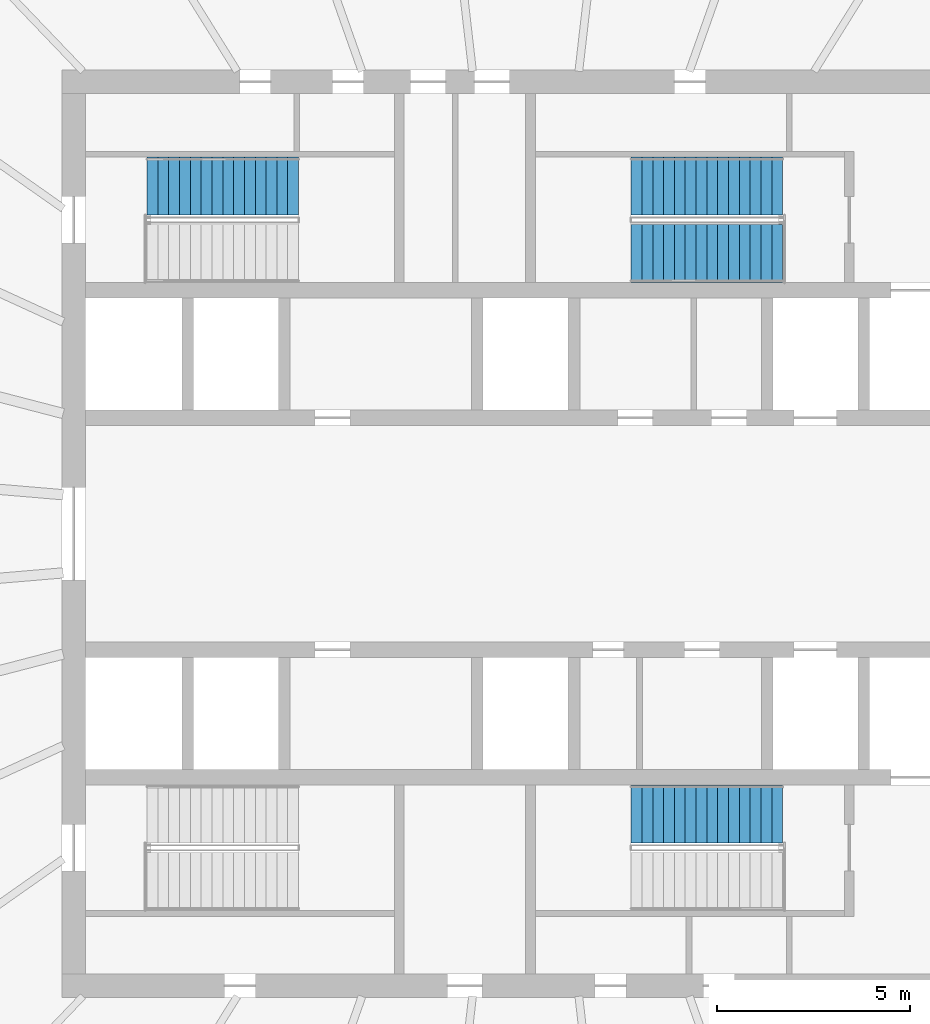
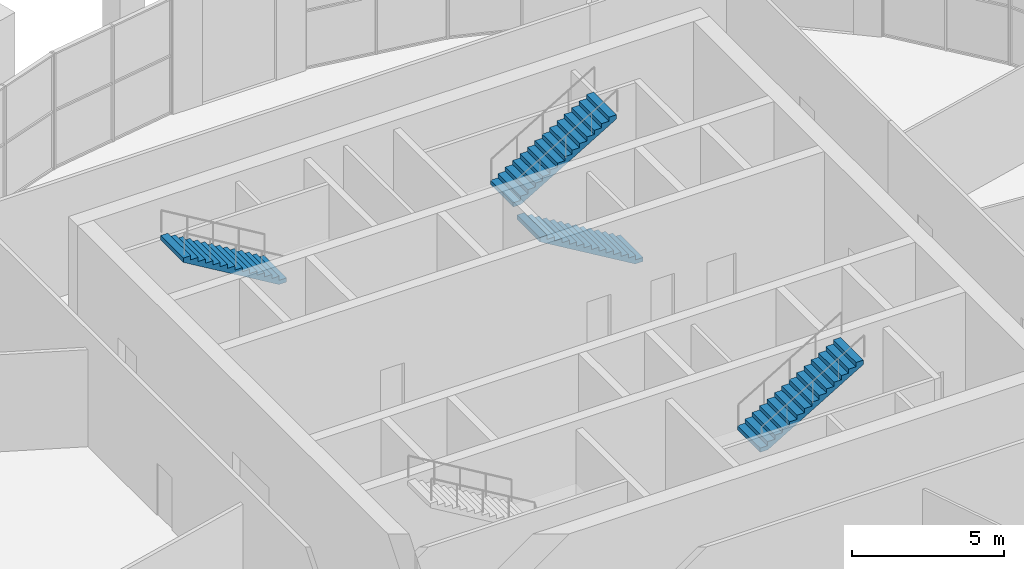
# One storey, part 13 of 15: 4 stair flights, 3 elements without a shape of their own.
"""IFC4 building model written with IfcOpenShell, lengths in metres."""

from ifc_helpers import new_model, si_unit, direction, frame, origin, place, context, subcontext, project, spatial, polyline, outline, extrude, material, type_object, element, aggregate, save


model = new_model("IFC4")

# Units and contexts
model_context = context("Model", 3, precision=1e-05, world=origin(), true_north=direction((0.0, 1.0)))
body_context = subcontext(model_context, "Body", "Model", "MODEL_VIEW")
ifc_project = project(units=[si_unit("LENGTHUNIT", "METRE"), si_unit("AREAUNIT", "SQUARE_METRE"), si_unit("VOLUMEUNIT", "CUBIC_METRE"), si_unit("PLANEANGLEUNIT", "RADIAN"), si_unit("MASSUNIT", "GRAM", prefix="KILO")], contexts=[model_context])

# Site, building, storey
site_placement = place(None, origin())
site = spatial("IfcSite", under=ifc_project, at=site_placement, CompositionType="ELEMENT")
building_placement = place(site_placement, origin())
building = spatial("IfcBuilding", under=site, at=building_placement, Name="Halqa Exchange Tower", CompositionType="ELEMENT")
storey_placement = place(building_placement, frame((0.0, 0.0, 338.300048828125)))
storey = spatial("IfcBuildingStorey", under=building, at=storey_placement, Name="L79", CompositionType="ELEMENT", Elevation=338.300048828125)

# Stair, stair flight
ifc_material = material(Name="Concrete C30/37", Category="concrete")
stair_type = type_object("IfcStairType", Name="Exit stair 1500 wide", PredefinedType="HALF_TURN_STAIR", material=ifc_material)
stair_1_placement = place(storey_placement, origin())
stair_1 = element("IfcStair", 1, at=stair_1_placement, inside=storey, type_object=stair_type, Name="Exit stair ST1", PredefinedType="HALF_TURN_STAIR")
stair_flight_type = type_object("IfcStairFlightType", Name="Stair flight 1500 wide", PredefinedType="STRAIGHT", material=ifc_material)
stair_flight_1_placement = place(storey_placement, frame((-5.8798828125, 9.0, 2.5), z_axis=(0.0, 0.0, 1.0), x_axis=(-1.0, 0.0, 0.0)))
stair_flight_1 = element("IfcStairFlight", 2, at=stair_flight_1_placement, type_object=stair_flight_type, Name="ST1 flight 2", NumberOfRisers=15, NumberOfTreads=14, PredefinedType="STRAIGHT", RiserHeight=0.166666667, TreadLength=0.28, context=body_context, shape_type="SweptSolid", body=[
    extrude(outline(polyline([(0.0, 0.0), (0.0, 0.166748046875), (0.280029296875, 0.166748046875), (0.280029296875, 0.333251953125), (0.56005859375, 0.333251953125), (0.56005859375, 0.5), (0.840087890625, 0.5), (0.840087890625, 0.666748046875), (1.1201171875, 0.666748046875), (1.1201171875, 0.833251953125), (1.39990234375, 0.833251953125), (1.39990234375, 1.0), (1.679931640625, 1.0), (1.679931640625, 1.166748046875), (1.9599609375, 1.166748046875), (1.9599609375, 1.333251953125), (2.239990234375, 1.333251953125), (2.239990234375, 1.5), (2.52001953125, 1.5), (2.52001953125, 1.666748046875), (2.800048828125, 1.666748046875), (2.800048828125, 1.833251953125), (3.080078125, 1.833251953125), (3.080078125, 2.0), (3.360107421875, 2.0), (3.360107421875, 2.166748046875), (3.639892578125, 2.166748046875), (3.639892578125, 2.333251953125), (3.919921875, 2.333251953125), (3.919921875, 2.5), (3.919921875, 2.158935546875), (0.29296875, 0.0), (0.0, 0.0)])), frame((0.0, 0.75, 0.0), z_axis=(0.0, -1.0, 0.0), x_axis=(1.0, 0.0, 0.0)), (0.0, 0.0, 1.0), 1.5),
])
aggregate(stair_1, [stair_flight_1])

# Stair, stair flights
stair_2_placement = place(storey_placement, origin())
stair_2 = element("IfcStair", 3, at=stair_2_placement, inside=storey, type_object=stair_type, Name="Exit stair ST2", PredefinedType="HALF_TURN_STAIR")
stair_flight_2_placement = place(storey_placement, frame((6.64990234375, 7.25, 0.0), z_axis=(0.0, 0.0, 1.0), x_axis=(-1.0, 0.0, 0.0)))
stair_flight_2 = element("IfcStairFlight", 4, at=stair_flight_2_placement, type_object=stair_flight_type, Name="ST2 flight 1", NumberOfRisers=15, NumberOfTreads=14, PredefinedType="STRAIGHT", RiserHeight=0.166666667, TreadLength=0.28, context=body_context, shape_type="SweptSolid", body=[
    extrude(outline(polyline([(0.0, 0.0), (0.0, 0.166748046875), (0.280029296875, 0.166748046875), (0.280029296875, 0.333251953125), (0.56005859375, 0.333251953125), (0.56005859375, 0.5), (0.840087890625, 0.5), (0.840087890625, 0.666748046875), (1.1201171875, 0.666748046875), (1.1201171875, 0.833251953125), (1.39990234375, 0.833251953125), (1.39990234375, 1.0), (1.679931640625, 1.0), (1.679931640625, 1.166748046875), (1.9599609375, 1.166748046875), (1.9599609375, 1.333251953125), (2.239990234375, 1.333251953125), (2.239990234375, 1.5), (2.52001953125, 1.5), (2.52001953125, 1.666748046875), (2.800048828125, 1.666748046875), (2.800048828125, 1.833251953125), (3.080078125, 1.833251953125), (3.080078125, 2.0), (3.360107421875, 2.0), (3.360107421875, 2.166748046875), (3.639892578125, 2.166748046875), (3.639892578125, 2.333251953125), (3.919921875, 2.333251953125), (3.919921875, 2.5), (3.919921875, 2.158935546875), (0.29296875, 0.0), (0.0, 0.0)])), frame((0.0, 0.75, 0.0), z_axis=(0.0, -1.0, 0.0), x_axis=(1.0, 0.0, 0.0)), (0.0, 0.0, 1.0), 1.5),
])
stair_flight_3_placement = place(storey_placement, frame((2.72998046875, 9.0, 2.5), z_axis=(0.0, 0.0, 1.0), x_axis=(1.0, 0.0, 0.0)))
stair_flight_3 = element("IfcStairFlight", 5, at=stair_flight_3_placement, type_object=stair_flight_type, Name="ST2 flight 2", NumberOfRisers=15, NumberOfTreads=14, PredefinedType="STRAIGHT", RiserHeight=0.166666667, TreadLength=0.28, context=body_context, shape_type="SweptSolid", body=[
    extrude(outline(polyline([(0.0, 0.0), (0.0, 0.166748046875), (0.280029296875, 0.166748046875), (0.280029296875, 0.333251953125), (0.56005859375, 0.333251953125), (0.56005859375, 0.5), (0.840087890625, 0.5), (0.840087890625, 0.666748046875), (1.1201171875, 0.666748046875), (1.1201171875, 0.833251953125), (1.39990234375, 0.833251953125), (1.39990234375, 1.0), (1.679931640625, 1.0), (1.679931640625, 1.166748046875), (1.9599609375, 1.166748046875), (1.9599609375, 1.333251953125), (2.239990234375, 1.333251953125), (2.239990234375, 1.5), (2.52001953125, 1.5), (2.52001953125, 1.666748046875), (2.800048828125, 1.666748046875), (2.800048828125, 1.833251953125), (3.080078125, 1.833251953125), (3.080078125, 2.0), (3.360107421875, 2.0), (3.360107421875, 2.166748046875), (3.639892578125, 2.166748046875), (3.639892578125, 2.333251953125), (3.919921875, 2.333251953125), (3.919921875, 2.5), (3.919921875, 2.158935546875), (0.29296875, 0.0), (0.0, 0.0)])), frame((0.0, 0.75, 0.0), z_axis=(0.0, -1.0, 0.0), x_axis=(1.0, 0.0, 0.0)), (0.0, 0.0, 1.0), 1.5),
])
aggregate(stair_2, [stair_flight_2, stair_flight_3])

# Stair, stair flight
stair_3_placement = place(storey_placement, origin())
stair_3 = element("IfcStair", 6, at=stair_3_placement, inside=storey, type_object=stair_type, Name="Exit stair ST4", PredefinedType="HALF_TURN_STAIR")
stair_flight_4_placement = place(storey_placement, frame((2.72998046875, -7.25, 2.5), z_axis=(0.0, 0.0, 1.0), x_axis=(1.0, 0.0, 0.0)))
stair_flight_4 = element("IfcStairFlight", 7, at=stair_flight_4_placement, type_object=stair_flight_type, Name="ST4 flight 2", NumberOfRisers=15, NumberOfTreads=14, PredefinedType="STRAIGHT", RiserHeight=0.166666667, TreadLength=0.28, context=body_context, shape_type="SweptSolid", body=[
    extrude(outline(polyline([(0.0, 0.0), (0.0, 0.166748046875), (0.280029296875, 0.166748046875), (0.280029296875, 0.333251953125), (0.56005859375, 0.333251953125), (0.56005859375, 0.5), (0.840087890625, 0.5), (0.840087890625, 0.666748046875), (1.1201171875, 0.666748046875), (1.1201171875, 0.833251953125), (1.39990234375, 0.833251953125), (1.39990234375, 1.0), (1.679931640625, 1.0), (1.679931640625, 1.166748046875), (1.9599609375, 1.166748046875), (1.9599609375, 1.333251953125), (2.239990234375, 1.333251953125), (2.239990234375, 1.5), (2.52001953125, 1.5), (2.52001953125, 1.666748046875), (2.800048828125, 1.666748046875), (2.800048828125, 1.833251953125), (3.080078125, 1.833251953125), (3.080078125, 2.0), (3.360107421875, 2.0), (3.360107421875, 2.166748046875), (3.639892578125, 2.166748046875), (3.639892578125, 2.333251953125), (3.919921875, 2.333251953125), (3.919921875, 2.5), (3.919921875, 2.158935546875), (0.29296875, 0.0), (0.0, 0.0)])), frame((0.0, 0.75, 0.0), z_axis=(0.0, -1.0, 0.0), x_axis=(1.0, 0.0, 0.0)), (0.0, 0.0, 1.0), 1.5),
])
aggregate(stair_3, [stair_flight_4])

save(model, "model.ifc")
